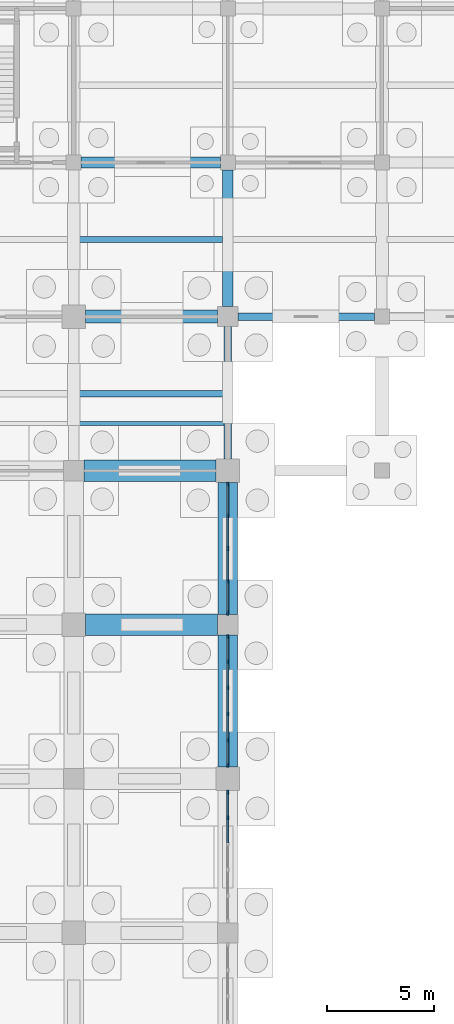
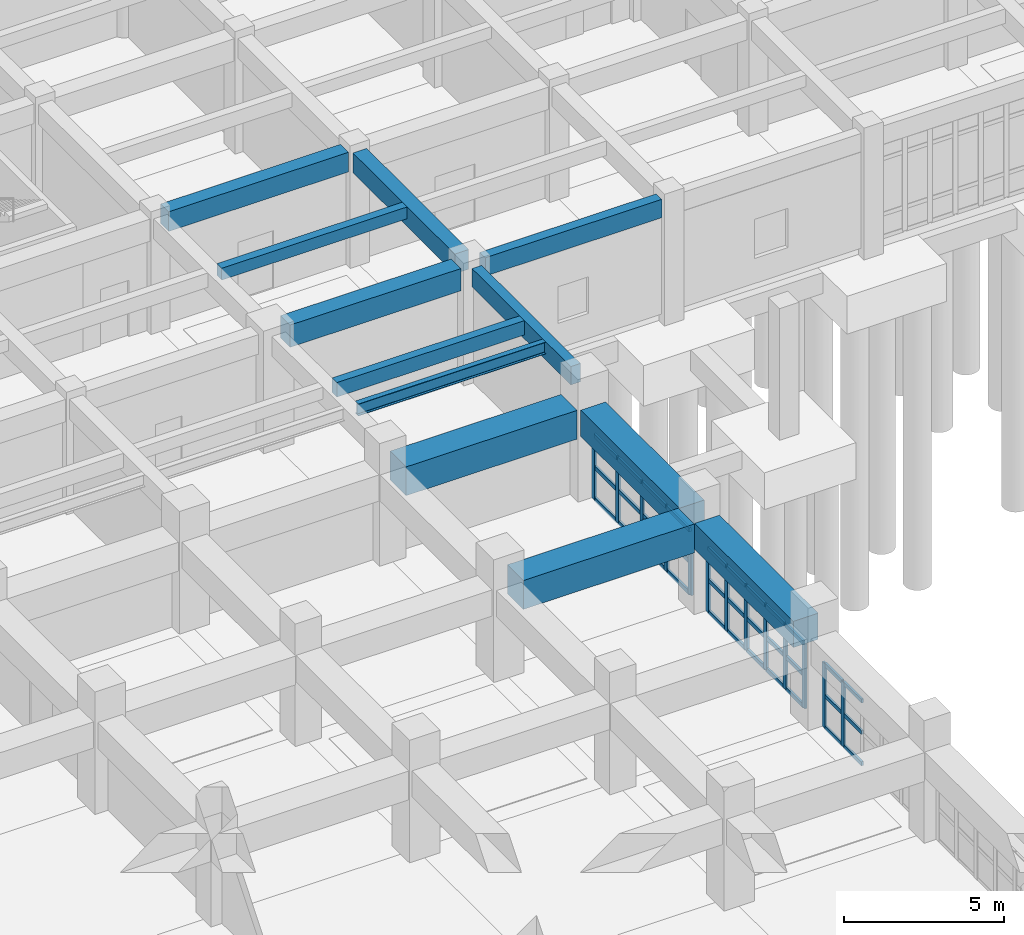
# One storey, part 28 of 79: 46 members, 12 beams, 3 elements without a shape of their own.
"""IFC4 building model written with IfcOpenShell, lengths in metres."""

from ifc_helpers import new_model, si_unit, direction, frame, origin, origin_2d, place, context, subcontext, project, spatial, rectangle, i_section, extrude, material, layer, layer_set, material_profile, profile_set, type_object, element, aggregate, save


model = new_model("IFC4")

# Units and contexts
model_context = context("Model", 3, precision=1e-05, world=origin(), true_north=direction((0.0, 1.0)))
body_context = subcontext(model_context, "Body", "Model", "MODEL_VIEW")
ifc_project = project(units=[si_unit("LENGTHUNIT", "METRE"), si_unit("AREAUNIT", "SQUARE_METRE"), si_unit("VOLUMEUNIT", "CUBIC_METRE"), si_unit("PLANEANGLEUNIT", "RADIAN"), si_unit("MASSUNIT", "GRAM", prefix="KILO")], contexts=[model_context])

# Site, building, storey
site_placement = place(None, origin())
site = spatial("IfcSite", under=ifc_project, at=site_placement, CompositionType="ELEMENT")
building_placement = place(site_placement, origin())
building = spatial("IfcBuilding", under=site, at=building_placement, Name="Kavelor Marine Aquarium", CompositionType="ELEMENT")
storey_placement = place(building_placement, origin())
storey = spatial("IfcBuildingStorey", under=building, at=storey_placement, Name="L00", CompositionType="ELEMENT", Elevation=0.0)

# Beams
ifc_material_1 = material(Name="Concrete C40/50", Category="concrete")
ifc_material_profile_1 = material_profile(ifc_material_1, rectangle(XDim=0.60009765625, YDim=0.85009765625, at=origin_2d()), Name="RC-BM 600x850")
ifc_profile_set_1 = profile_set([ifc_material_profile_1], Name="Concrete C40/50")
beam_type_1 = type_object("IfcBeamType", Name="BM-B1", PredefinedType="BEAM", material=ifc_profile_set_1)
beam_1_placement = place(storey_placement, frame((32.550048828125, 89.199951171875, 3.955078125), z_axis=(1.0, 0.0, 0.0), x_axis=(0.0, 1.0, 0.0)))
element("IfcBeam", 1, at=beam_1_placement, inside=storey, type_object=beam_type_1, Name="bm:x:L00:L01:04_12", PredefinedType="BEAM", context=body_context, shape_type="SweptSolid", body=[
    extrude(rectangle(XDim=0.60009765625, YDim=0.85009765625, at=origin_2d()), origin(), (0.0, 0.0, 1.0), 6.175048828125),
])
ifc_material_2 = material(Name="Concrete C40/50", Category="concrete")
ifc_material_profile_2 = material_profile(ifc_material_2, rectangle(XDim=0.5, YDim=0.75, at=origin_2d()), Name="RC-BM 500x750")
ifc_profile_set_2 = profile_set([ifc_material_profile_2], Name="Concrete C40/50")
beam_type_2 = type_object("IfcBeamType", Name="BM-B2", PredefinedType="BEAM", material=ifc_profile_set_2)
beam_2_placement = place(storey_placement, frame((32.35009765625, 96.39990234375, 4.0048828125), z_axis=(1.0, 0.0, 0.0), x_axis=(0.0, 1.0, 0.0)))
element("IfcBeam", 2, at=beam_2_placement, inside=storey, type_object=beam_type_2, Name="bm:x:L00:L01:04_13", PredefinedType="BEAM", context=body_context, shape_type="SweptSolid", body=[
    extrude(rectangle(XDim=0.5, YDim=0.75, at=origin_2d()), origin(), (0.0, 0.0, 1.0), 6.5),
])
beam_3_placement = place(storey_placement, frame((39.199951171875, 89.675048828125, 4.0048828125), z_axis=(0.0, 1.0, 0.0), x_axis=(-1.0, 0.0, 0.0)))
element("IfcBeam", 3, at=beam_3_placement, inside=storey, type_object=beam_type_2, Name="bm:y:L00:L01:05_12", PredefinedType="BEAM", context=body_context, shape_type="SweptSolid", body=[
    extrude(rectangle(XDim=0.5, YDim=0.75, at=origin_2d()), origin(), (0.0, 0.0, 1.0), 6.375),
])
ifc_material_3 = material(Name="Concrete C40/50", Category="concrete")
ifc_material_profile_3 = material_profile(ifc_material_3, rectangle(XDim=0.300048828125, YDim=0.449951171875, at=origin_2d()), Name="RC-JS 300x450")
ifc_profile_set_3 = profile_set([ifc_material_profile_3], Name="Concrete C40/50")
beam_type_3 = type_object("IfcBeamType", Name="BM-JS1", PredefinedType="JOIST", material=ifc_profile_set_3)
beam_4_placement = place(storey_placement, frame((32.25, 92.800048828125, 4.155029296875), z_axis=(1.0, 0.0, 0.0), x_axis=(0.0, 1.0, 0.0)))
element("IfcBeam", 4, at=beam_4_placement, inside=storey, type_object=beam_type_3, Name="js:L00:L01:04_12", PredefinedType="JOIST", context=body_context, shape_type="SweptSolid", body=[
    extrude(rectangle(XDim=0.300048828125, YDim=0.449951171875, at=origin_2d()), origin(), (0.0, 0.0, 1.0), 6.699951171875),
])
ifc_material_4 = material(Name="Concrete C40/50", Category="concrete")
ifc_material_profile_4 = material_profile(ifc_material_4, rectangle(XDim=0.300048828125, YDim=0.550048828125, at=origin_2d()), Name="RC-JS 300x550")
ifc_profile_set_4 = profile_set([ifc_material_profile_4], Name="Concrete C40/50")
beam_type_4 = type_object("IfcBeamType", Name="BM-JS2", PredefinedType="JOIST", material=ifc_profile_set_4)
beam_5_placement = place(storey_placement, frame((32.25, 85.60009765625, 4.10498046875), z_axis=(1.0, 0.0, 0.0), x_axis=(0.0, 1.0, 0.0)))
element("IfcBeam", 5, at=beam_5_placement, inside=storey, type_object=beam_type_4, Name="js:L00:L01:04_11", PredefinedType="JOIST", context=body_context, shape_type="SweptSolid", body=[
    extrude(rectangle(XDim=0.300048828125, YDim=0.550048828125, at=origin_2d()), origin(), (0.0, 0.0, 1.0), 6.77490234375),
])
ifc_material_5 = material(Name="Steel S355", Category="steel")
ifc_material_profile_5 = material_profile(ifc_material_5, i_section(OverallWidth=0.19140625, OverallDepth=0.4599609375, WebThickness=0.010009765625, FlangeThickness=0.01611328125, FilletRadius=0.01025390625, at=origin_2d()), Name="UKB 457x191x82")
ifc_profile_set_5 = profile_set([ifc_material_profile_5], Name="Steel S355")
beam_type_5 = type_object("IfcBeamType", Name="BM-SB7", PredefinedType="BEAM", material=ifc_profile_set_5)
beam_6_placement = place(storey_placement, frame((32.25, 84.199951171875, 4.14990234375), z_axis=(1.0, 0.0, 0.0), x_axis=(0.0, 1.0, 0.0)))
element("IfcBeam", 6, at=beam_6_placement, inside=storey, type_object=beam_type_5, Name="bm:hoist:4:04", PredefinedType="BEAM", context=body_context, shape_type="SweptSolid", body=[
    extrude(i_section(OverallWidth=0.19140625, OverallDepth=0.4599609375, WebThickness=0.010009765625, FlangeThickness=0.01611328125, FilletRadius=0.01025390625, at=origin_2d()), origin(), (0.0, 0.0, 1.0), 6.77490234375),
])
ifc_material_6 = material(Name="Concrete C40/50", Category="concrete")
ifc_material_profile_6 = material_profile(ifc_material_6, rectangle(XDim=0.35009765625, YDim=0.699951171875, at=origin_2d()), Name="RC-SP 350x700")
ifc_profile_set_6 = profile_set([ifc_material_profile_6], Name="Concrete C40/50")
beam_type_6 = type_object("IfcBeamType", Name="BM-SP1", PredefinedType="SPANDREL", material=ifc_profile_set_6)
beam_7_placement = place(storey_placement, frame((39.675048828125, 89.199951171875, 4.030029296875), z_axis=(1.0, 0.0, 0.0), x_axis=(0.0, 1.0, 0.0)))
element("IfcBeam", 7, at=beam_7_placement, inside=storey, type_object=beam_type_6, Name="bm:x:L00:L01:05_12", PredefinedType="SPANDREL", context=body_context, shape_type="SweptSolid", body=[
    extrude(rectangle(XDim=0.35009765625, YDim=0.699951171875, at=origin_2d()), origin(), (0.0, 0.0, 1.0), 6.375),
])
beam_8_placement = place(storey_placement, frame((39.199951171875, 82.550048828125, 4.030029296875), z_axis=(0.0, 1.0, 0.0), x_axis=(-1.0, 0.0, 0.0)))
element("IfcBeam", 8, at=beam_8_placement, inside=storey, type_object=beam_type_6, Name="bm:y:L00:L01:05_11", PredefinedType="SPANDREL", context=body_context, shape_type="SweptSolid", body=[
    extrude(rectangle(XDim=0.35009765625, YDim=0.699951171875, at=origin_2d()), origin(), (0.0, 0.0, 1.0), 6.175048828125),
])
ifc_material_7 = material(Name="Concrete C45/55", Category="concrete")
ifc_material_profile_7 = material_profile(ifc_material_7, rectangle(XDim=1.0, YDim=1.10009765625, at=origin_2d()), Name="RC-TG 1000x1100")
ifc_profile_set_7 = profile_set([ifc_material_profile_7], Name="Concrete C45/55")
beam_type_7 = type_object("IfcBeamType", Name="BM-TG1", PredefinedType="BEAM", material=ifc_profile_set_7)
beam_9_placement = place(storey_placement, frame((32.550048828125, 74.800048828125, 2.929931640625), z_axis=(1.0, 0.0, 0.0), x_axis=(0.0, 1.0, 0.0)))
element("IfcBeam", 9, at=beam_9_placement, inside=storey, type_object=beam_type_7, Name="bm:x:L00:L01:04_10", PredefinedType="BEAM", context=body_context, shape_type="SweptSolid", body=[
    extrude(rectangle(XDim=1.0, YDim=1.10009765625, at=origin_2d()), origin(), (0.0, 0.0, 1.0), 6.175048828125),
])
beam_10_placement = place(storey_placement, frame((32.47509765625, 82.0, 2.929931640625), z_axis=(1.0, 0.0, 0.0), x_axis=(0.0, 1.0, 0.0)))
element("IfcBeam", 10, at=beam_10_placement, inside=storey, type_object=beam_type_7, Name="bm:x:L00:L01:04_11", PredefinedType="BEAM", context=body_context, shape_type="SweptSolid", body=[
    extrude(rectangle(XDim=1.0, YDim=1.10009765625, at=origin_2d()), origin(), (0.0, 0.0, 1.0), 6.1748046875),
])
ifc_material_8 = material(Name="Concrete C45/55", Category="concrete")
ifc_material_profile_8 = material_profile(ifc_material_8, rectangle(XDim=0.89990234375, YDim=1.0, at=origin_2d()), Name="RC-TG 900x1000")
ifc_profile_set_8 = profile_set([ifc_material_profile_8], Name="Concrete C45/55")
beam_type_8 = type_object("IfcBeamType", Name="BM-TG2", PredefinedType="BEAM", material=ifc_profile_set_8)
for number, where, z_axis, x_axis, name in (
    (11, (39.199951171875, 68.14990234375, 2.97998046875), (0.0, 1.0, 0.0), (-1.0, 0.0, 0.0), "bm:y:L00:L01:05_09"),
    (12, (39.199951171875, 75.27490234375, 2.97998046875), (0.0, 1.0, 0.0), (-1.0, 0.0, 0.0), "bm:y:L00:L01:05_10"),
):
    element("IfcBeam", number, at=place(storey_placement, frame(where, z_axis=z_axis, x_axis=x_axis)), inside=storey, type_object=beam_type_8, Name=name, PredefinedType="BEAM", context=body_context, shape_type="SweptSolid", body=[
        extrude(rectangle(XDim=0.89990234375, YDim=1.0, at=origin_2d()), origin(), (0.0, 0.0, 1.0), 6.175048828125),
    ])

# Curtain wall, members
ifc_material_9 = material(Name="Thermally Broken Aluminium and Low-E Glass", Category="aluminium")
ifc_layer_1 = layer(ifc_material_9, 0.196044921875)
ifc_layer_set_1 = layer_set([ifc_layer_1], Name="CW-SYS7")
curtain_wall_type_1 = type_object("IfcCurtainWallType", Name="CW-SYS7", PredefinedType="USERDEFINED", material=ifc_layer_set_1)
curtain_wall_1_placement = place(storey_placement, origin())
curtain_wall_1 = element("IfcCurtainWall", 13, at=curtain_wall_1_placement, inside=storey, type_object=curtain_wall_type_1, Name="cw:y:L00:05_08", ObjectType="Curtain Wall", PredefinedType="USERDEFINED")
ifc_material_10 = material(Name="Anodised Aluminium Alloy 6063-T6", Category="aluminium")
ifc_material_profile_9 = material_profile(ifc_material_10, rectangle(XDim=0.074951171875, YDim=0.179931640625, at=origin_2d()), Name="CW-MUL 75x180")
ifc_profile_set_9 = profile_set([ifc_material_profile_9], Name="Anodised Aluminium Alloy 6063-T6")
member_type_1 = type_object("IfcMemberType", Name="CWM-1", PredefinedType="MULLION", material=ifc_profile_set_9)
member_1_placement = place(storey_placement, frame((39.199951171875, 65.7880859375, 0.0), z_axis=(0.0, 0.0, 1.0), x_axis=(-1.0, 0.0, 0.0)))
member_1 = element("IfcMember", 14, at=member_1_placement, type_object=member_type_1, Name="CW07 mullion 5", PredefinedType="MULLION", context=body_context, shape_type="SweptSolid", body=[
    extrude(rectangle(XDim=0.074951171875, YDim=0.179931640625, at=origin_2d()), origin(), (0.0, 0.0, 1.0), 2.469970703125),
])
member_2_placement = place(storey_placement, frame((39.199951171875, 66.967529296875, 0.0), z_axis=(0.0, 0.0, 1.0), x_axis=(-1.0, 0.0, 0.0)))
member_2 = element("IfcMember", 15, at=member_2_placement, type_object=member_type_1, Name="CW07 mullion 6", PredefinedType="MULLION", context=body_context, shape_type="SweptSolid", body=[
    extrude(rectangle(XDim=0.074951171875, YDim=0.179931640625, at=origin_2d()), origin(), (0.0, 0.0, 1.0), 2.469970703125),
])

ifc_material_11 = material(Name="Thermally Broken Aluminium and Low-E Glass", Category="aluminium")
ifc_layer_2 = layer(ifc_material_11, 0.2041015625)
ifc_layer_set_2 = layer_set([ifc_layer_2], Name="CW-SYS8")
curtain_wall_type_2 = type_object("IfcCurtainWallType", Name="CW-SYS8", PredefinedType="USERDEFINED", material=ifc_layer_set_2)
curtain_wall_2_placement = place(storey_placement, origin())
curtain_wall_2 = element("IfcCurtainWall", 16, at=curtain_wall_2_placement, inside=storey, type_object=curtain_wall_type_2, Name="cw:y:L00:05_09", ObjectType="Curtain Wall", PredefinedType="USERDEFINED")
ifc_material_12 = material(Name="Anodised Aluminium Alloy 6063-T6", Category="aluminium")
ifc_material_profile_10 = material_profile(ifc_material_12, rectangle(XDim=0.080078125, YDim=0.18505859375, at=origin_2d()), Name="CW-MUL 80x185")
ifc_profile_set_10 = profile_set([ifc_material_profile_10], Name="Anodised Aluminium Alloy 6063-T6")
member_type_2 = type_object("IfcMemberType", Name="CWM-2", PredefinedType="MULLION", material=ifc_profile_set_10)
member_3_placement = place(storey_placement, frame((39.199951171875, 68.2275390625, 0.0), z_axis=(0.0, 0.0, 1.0), x_axis=(-1.0, 0.0, 0.0)))
member_3 = element("IfcMember", 17, at=member_3_placement, type_object=member_type_2, Name="CW08 mullion 1", PredefinedType="MULLION", context=body_context, shape_type="SweptSolid", body=[
    extrude(rectangle(XDim=0.080078125, YDim=0.18505859375, at=origin_2d()), origin(), (0.0, 0.0, 1.0), 2.469970703125),
])
member_4_placement = place(storey_placement, frame((39.199951171875, 69.412109375, 0.0), z_axis=(0.0, 0.0, 1.0), x_axis=(-1.0, 0.0, 0.0)))
member_4 = element("IfcMember", 18, at=member_4_placement, type_object=member_type_2, Name="CW08 mullion 2", PredefinedType="MULLION", context=body_context, shape_type="SweptSolid", body=[
    extrude(rectangle(XDim=0.080078125, YDim=0.18505859375, at=origin_2d()), origin(), (0.0, 0.0, 1.0), 2.469970703125),
])
member_5_placement = place(storey_placement, frame((39.199951171875, 70.62890625, 0.0), z_axis=(0.0, 0.0, 1.0), x_axis=(-1.0, 0.0, 0.0)))
member_5 = element("IfcMember", 19, at=member_5_placement, type_object=member_type_2, Name="CW08 mullion 3", PredefinedType="MULLION", context=body_context, shape_type="SweptSolid", body=[
    extrude(rectangle(XDim=0.080078125, YDim=0.18505859375, at=origin_2d()), origin(), (0.0, 0.0, 1.0), 2.469970703125),
])
member_6_placement = place(storey_placement, frame((39.199951171875, 71.845947265625, 0.0), z_axis=(0.0, 0.0, 1.0), x_axis=(-1.0, 0.0, 0.0)))
member_6 = element("IfcMember", 20, at=member_6_placement, type_object=member_type_2, Name="CW08 mullion 4", PredefinedType="MULLION", context=body_context, shape_type="SweptSolid", body=[
    extrude(rectangle(XDim=0.080078125, YDim=0.18505859375, at=origin_2d()), origin(), (0.0, 0.0, 1.0), 2.469970703125),
])
member_7_placement = place(storey_placement, frame((39.199951171875, 73.06298828125, 0.0), z_axis=(0.0, 0.0, 1.0), x_axis=(-1.0, 0.0, 0.0)))
member_7 = element("IfcMember", 21, at=member_7_placement, type_object=member_type_2, Name="CW08 mullion 5", PredefinedType="MULLION", context=body_context, shape_type="SweptSolid", body=[
    extrude(rectangle(XDim=0.080078125, YDim=0.18505859375, at=origin_2d()), origin(), (0.0, 0.0, 1.0), 2.469970703125),
])
member_8_placement = place(storey_placement, frame((39.199951171875, 74.24755859375, 0.0), z_axis=(0.0, 0.0, 1.0), x_axis=(-1.0, 0.0, 0.0)))
member_8 = element("IfcMember", 22, at=member_8_placement, type_object=member_type_2, Name="CW08 mullion 6", PredefinedType="MULLION", context=body_context, shape_type="SweptSolid", body=[
    extrude(rectangle(XDim=0.080078125, YDim=0.18505859375, at=origin_2d()), origin(), (0.0, 0.0, 1.0), 2.469970703125),
])

ifc_material_13 = material(Name="Thermally Broken Aluminium and Low-E Glass", Category="aluminium")
ifc_layer_3 = layer(ifc_material_13, 0.2119140625)
ifc_layer_set_3 = layer_set([ifc_layer_3], Name="CW-SYS9")
curtain_wall_type_3 = type_object("IfcCurtainWallType", Name="CW-SYS9", PredefinedType="USERDEFINED", material=ifc_layer_set_3)
curtain_wall_3_placement = place(storey_placement, origin())
curtain_wall_3 = element("IfcCurtainWall", 23, at=curtain_wall_3_placement, inside=storey, type_object=curtain_wall_type_3, Name="cw:y:L00:05_10", ObjectType="Curtain Wall", PredefinedType="USERDEFINED")
ifc_material_14 = material(Name="Anodised Aluminium Alloy 6063-T6", Category="aluminium")
ifc_material_profile_11 = material_profile(ifc_material_14, rectangle(XDim=0.0849609375, YDim=0.18994140625, at=origin_2d()), Name="CW-MUL 85x190")
ifc_profile_set_11 = profile_set([ifc_material_profile_11], Name="Anodised Aluminium Alloy 6063-T6")
member_type_3 = type_object("IfcMemberType", Name="CWM-3", PredefinedType="MULLION", material=ifc_profile_set_11)
member_9_placement = place(storey_placement, frame((39.199951171875, 75.35009765625, 0.0), z_axis=(0.0, 0.0, 1.0), x_axis=(-1.0, 0.0, 0.0)))
member_9 = element("IfcMember", 24, at=member_9_placement, type_object=member_type_3, Name="CW09 mullion 1", PredefinedType="MULLION", context=body_context, shape_type="SweptSolid", body=[
    extrude(rectangle(XDim=0.0849609375, YDim=0.18994140625, at=origin_2d()), origin(), (0.0, 0.0, 1.0), 2.469970703125),
])
member_10_placement = place(storey_placement, frame((39.199951171875, 76.84130859375, 0.0), z_axis=(0.0, 0.0, 1.0), x_axis=(-1.0, 0.0, 0.0)))
member_10 = element("IfcMember", 25, at=member_10_placement, type_object=member_type_3, Name="CW09 mullion 2", PredefinedType="MULLION", context=body_context, shape_type="SweptSolid", body=[
    extrude(rectangle(XDim=0.0849609375, YDim=0.18994140625, at=origin_2d()), origin(), (0.0, 0.0, 1.0), 2.469970703125),
])
member_11_placement = place(storey_placement, frame((39.199951171875, 78.362548828125, 0.0), z_axis=(0.0, 0.0, 1.0), x_axis=(-1.0, 0.0, 0.0)))
member_11 = element("IfcMember", 26, at=member_11_placement, type_object=member_type_3, Name="CW09 mullion 3", PredefinedType="MULLION", context=body_context, shape_type="SweptSolid", body=[
    extrude(rectangle(XDim=0.0849609375, YDim=0.18994140625, at=origin_2d()), origin(), (0.0, 0.0, 1.0), 2.469970703125),
])
member_12_placement = place(storey_placement, frame((39.199951171875, 79.8837890625, 0.0), z_axis=(0.0, 0.0, 1.0), x_axis=(-1.0, 0.0, 0.0)))
member_12 = element("IfcMember", 27, at=member_12_placement, type_object=member_type_3, Name="CW09 mullion 4", PredefinedType="MULLION", context=body_context, shape_type="SweptSolid", body=[
    extrude(rectangle(XDim=0.0849609375, YDim=0.18994140625, at=origin_2d()), origin(), (0.0, 0.0, 1.0), 2.469970703125),
])
member_13_placement = place(storey_placement, frame((39.199951171875, 81.375, 0.0), z_axis=(0.0, 0.0, 1.0), x_axis=(-1.0, 0.0, 0.0)))
member_13 = element("IfcMember", 28, at=member_13_placement, type_object=member_type_3, Name="CW09 mullion 5", PredefinedType="MULLION", context=body_context, shape_type="SweptSolid", body=[
    extrude(rectangle(XDim=0.0849609375, YDim=0.18994140625, at=origin_2d()), origin(), (0.0, 0.0, 1.0), 2.469970703125),
])

# Member
ifc_material_15 = material(Name="Anodised Aluminium Alloy 6063-T6", Category="aluminium")
ifc_material_profile_12 = material_profile(ifc_material_15, rectangle(XDim=0.074951171875, YDim=0.14990234375, at=origin_2d()), Name="CW-TRN 75x150")
ifc_profile_set_12 = profile_set([ifc_material_profile_12], Name="Anodised Aluminium Alloy 6063-T6")
member_type_4 = type_object("IfcMemberType", Name="CWT-1", PredefinedType="USERDEFINED", material=ifc_profile_set_12)
member_14_placement = place(storey_placement, frame((39.199951171875, 64.6083984375, 0.03759765625), z_axis=(0.0, 1.0, 0.0), x_axis=(-1.0, 0.0, 0.0)))
member_14 = element("IfcMember", 29, at=member_14_placement, type_object=member_type_4, Name="CW07 transom 4.1", ObjectType="TRANSOM", PredefinedType="USERDEFINED", context=body_context, shape_type="SweptSolid", body=[
    extrude(rectangle(XDim=0.074951171875, YDim=0.14990234375, at=origin_2d()), origin(), (0.0, 0.0, 1.0), 1.14208984375),
])

member_15_placement = place(storey_placement, frame((39.199951171875, 64.6083984375, 1.235107421875), z_axis=(0.0, 1.0, 0.0), x_axis=(-1.0, 0.0, 0.0)))
member_15 = element("IfcMember", 30, at=member_15_placement, type_object=member_type_4, Name="CW07 transom 4.2", ObjectType="TRANSOM", PredefinedType="USERDEFINED", context=body_context, shape_type="SweptSolid", body=[
    extrude(rectangle(XDim=0.074951171875, YDim=0.14990234375, at=origin_2d()), origin(), (0.0, 0.0, 1.0), 1.14208984375),
])

member_16_placement = place(storey_placement, frame((39.199951171875, 64.6083984375, 2.4326171875), z_axis=(0.0, 1.0, 0.0), x_axis=(-1.0, 0.0, 0.0)))
member_16 = element("IfcMember", 31, at=member_16_placement, type_object=member_type_4, Name="CW07 transom 4.3", ObjectType="TRANSOM", PredefinedType="USERDEFINED", context=body_context, shape_type="SweptSolid", body=[
    extrude(rectangle(XDim=0.074951171875, YDim=0.14990234375, at=origin_2d()), origin(), (0.0, 0.0, 1.0), 1.14208984375),
])

member_17_placement = place(storey_placement, frame((39.199951171875, 65.825439453125, 0.03759765625), z_axis=(0.0, 1.0, 0.0), x_axis=(-1.0, 0.0, 0.0)))
member_17 = element("IfcMember", 32, at=member_17_placement, type_object=member_type_4, Name="CW07 transom 5.1", ObjectType="TRANSOM", PredefinedType="USERDEFINED", context=body_context, shape_type="SweptSolid", body=[
    extrude(rectangle(XDim=0.074951171875, YDim=0.14990234375, at=origin_2d()), origin(), (0.0, 0.0, 1.0), 1.1044921875),
])

member_18_placement = place(storey_placement, frame((39.199951171875, 65.825439453125, 1.235107421875), z_axis=(0.0, 1.0, 0.0), x_axis=(-1.0, 0.0, 0.0)))
member_18 = element("IfcMember", 33, at=member_18_placement, type_object=member_type_4, Name="CW07 transom 5.2", ObjectType="TRANSOM", PredefinedType="USERDEFINED", context=body_context, shape_type="SweptSolid", body=[
    extrude(rectangle(XDim=0.074951171875, YDim=0.14990234375, at=origin_2d()), origin(), (0.0, 0.0, 1.0), 1.1044921875),
])

member_19_placement = place(storey_placement, frame((39.199951171875, 65.825439453125, 2.4326171875), z_axis=(0.0, 1.0, 0.0), x_axis=(-1.0, 0.0, 0.0)))
member_19 = element("IfcMember", 34, at=member_19_placement, type_object=member_type_4, Name="CW07 transom 5.3", ObjectType="TRANSOM", PredefinedType="USERDEFINED", context=body_context, shape_type="SweptSolid", body=[
    extrude(rectangle(XDim=0.074951171875, YDim=0.14990234375, at=origin_2d()), origin(), (0.0, 0.0, 1.0), 1.1044921875),
])

aggregate(curtain_wall_1, [member_1, member_2, member_14, member_15, member_16, member_17, member_18, member_19])

ifc_material_16 = material(Name="Anodised Aluminium Alloy 6063-T6", Category="aluminium")
ifc_material_profile_13 = material_profile(ifc_material_16, rectangle(XDim=0.080078125, YDim=0.155029296875, at=origin_2d()), Name="CW-TRN 80x155")
ifc_profile_set_13 = profile_set([ifc_material_profile_13], Name="Anodised Aluminium Alloy 6063-T6")
member_type_5 = type_object("IfcMemberType", Name="CWT-2", PredefinedType="USERDEFINED", material=ifc_profile_set_13)
member_20_placement = place(storey_placement, frame((39.199951171875, 68.260009765625, 0.032470703125), z_axis=(0.0, 1.0, 0.0), x_axis=(-1.0, 0.0, 0.0)))
member_20 = element("IfcMember", 35, at=member_20_placement, type_object=member_type_5, Name="CW08 transom 1.1", ObjectType="TRANSOM", PredefinedType="USERDEFINED", context=body_context, shape_type="SweptSolid", body=[
    extrude(rectangle(XDim=0.080078125, YDim=0.155029296875, at=origin_2d()), origin(), (0.0, 0.0, 1.0), 1.119384765625),
])

member_21_placement = place(storey_placement, frame((39.199951171875, 68.260009765625, 1.235107421875), z_axis=(0.0, 1.0, 0.0), x_axis=(-1.0, 0.0, 0.0)))
member_21 = element("IfcMember", 36, at=member_21_placement, type_object=member_type_5, Name="CW08 transom 1.2", ObjectType="TRANSOM", PredefinedType="USERDEFINED", context=body_context, shape_type="SweptSolid", body=[
    extrude(rectangle(XDim=0.080078125, YDim=0.155029296875, at=origin_2d()), origin(), (0.0, 0.0, 1.0), 1.119384765625),
])

member_22_placement = place(storey_placement, frame((39.199951171875, 68.260009765625, 2.4375), z_axis=(0.0, 1.0, 0.0), x_axis=(-1.0, 0.0, 0.0)))
member_22 = element("IfcMember", 37, at=member_22_placement, type_object=member_type_5, Name="CW08 transom 1.3", ObjectType="TRANSOM", PredefinedType="USERDEFINED", context=body_context, shape_type="SweptSolid", body=[
    extrude(rectangle(XDim=0.080078125, YDim=0.155029296875, at=origin_2d()), origin(), (0.0, 0.0, 1.0), 1.119384765625),
])

member_23_placement = place(storey_placement, frame((39.199951171875, 69.444580078125, 0.032470703125), z_axis=(0.0, 1.0, 0.0), x_axis=(-1.0, 0.0, 0.0)))
member_23 = element("IfcMember", 38, at=member_23_placement, type_object=member_type_5, Name="CW08 transom 2.1", ObjectType="TRANSOM", PredefinedType="USERDEFINED", context=body_context, shape_type="SweptSolid", body=[
    extrude(rectangle(XDim=0.080078125, YDim=0.155029296875, at=origin_2d()), origin(), (0.0, 0.0, 1.0), 1.15185546875),
])

member_24_placement = place(storey_placement, frame((39.199951171875, 69.444580078125, 1.235107421875), z_axis=(0.0, 1.0, 0.0), x_axis=(-1.0, 0.0, 0.0)))
member_24 = element("IfcMember", 39, at=member_24_placement, type_object=member_type_5, Name="CW08 transom 2.2", ObjectType="TRANSOM", PredefinedType="USERDEFINED", context=body_context, shape_type="SweptSolid", body=[
    extrude(rectangle(XDim=0.080078125, YDim=0.155029296875, at=origin_2d()), origin(), (0.0, 0.0, 1.0), 1.15185546875),
])

member_25_placement = place(storey_placement, frame((39.199951171875, 69.444580078125, 2.4375), z_axis=(0.0, 1.0, 0.0), x_axis=(-1.0, 0.0, 0.0)))
member_25 = element("IfcMember", 40, at=member_25_placement, type_object=member_type_5, Name="CW08 transom 2.3", ObjectType="TRANSOM", PredefinedType="USERDEFINED", context=body_context, shape_type="SweptSolid", body=[
    extrude(rectangle(XDim=0.080078125, YDim=0.155029296875, at=origin_2d()), origin(), (0.0, 0.0, 1.0), 1.15185546875),
])

member_26_placement = place(storey_placement, frame((39.199951171875, 70.66162109375, 0.032470703125), z_axis=(0.0, 1.0, 0.0), x_axis=(-1.0, 0.0, 0.0)))
member_26 = element("IfcMember", 41, at=member_26_placement, type_object=member_type_5, Name="CW08 transom 3.1", ObjectType="TRANSOM", PredefinedType="USERDEFINED", context=body_context, shape_type="SweptSolid", body=[
    extrude(rectangle(XDim=0.080078125, YDim=0.155029296875, at=origin_2d()), origin(), (0.0, 0.0, 1.0), 1.15185546875),
])

member_27_placement = place(storey_placement, frame((39.199951171875, 70.66162109375, 1.235107421875), z_axis=(0.0, 1.0, 0.0), x_axis=(-1.0, 0.0, 0.0)))
member_27 = element("IfcMember", 42, at=member_27_placement, type_object=member_type_5, Name="CW08 transom 3.2", ObjectType="TRANSOM", PredefinedType="USERDEFINED", context=body_context, shape_type="SweptSolid", body=[
    extrude(rectangle(XDim=0.080078125, YDim=0.155029296875, at=origin_2d()), origin(), (0.0, 0.0, 1.0), 1.15185546875),
])

member_28_placement = place(storey_placement, frame((39.199951171875, 70.66162109375, 2.4375), z_axis=(0.0, 1.0, 0.0), x_axis=(-1.0, 0.0, 0.0)))
member_28 = element("IfcMember", 43, at=member_28_placement, type_object=member_type_5, Name="CW08 transom 3.3", ObjectType="TRANSOM", PredefinedType="USERDEFINED", context=body_context, shape_type="SweptSolid", body=[
    extrude(rectangle(XDim=0.080078125, YDim=0.155029296875, at=origin_2d()), origin(), (0.0, 0.0, 1.0), 1.15185546875),
])

member_29_placement = place(storey_placement, frame((39.199951171875, 71.87841796875, 0.032470703125), z_axis=(0.0, 1.0, 0.0), x_axis=(-1.0, 0.0, 0.0)))
member_29 = element("IfcMember", 44, at=member_29_placement, type_object=member_type_5, Name="CW08 transom 4.1", ObjectType="TRANSOM", PredefinedType="USERDEFINED", context=body_context, shape_type="SweptSolid", body=[
    extrude(rectangle(XDim=0.080078125, YDim=0.155029296875, at=origin_2d()), origin(), (0.0, 0.0, 1.0), 1.152099609375),
])

member_30_placement = place(storey_placement, frame((39.199951171875, 71.87841796875, 1.235107421875), z_axis=(0.0, 1.0, 0.0), x_axis=(-1.0, 0.0, 0.0)))
member_30 = element("IfcMember", 45, at=member_30_placement, type_object=member_type_5, Name="CW08 transom 4.2", ObjectType="TRANSOM", PredefinedType="USERDEFINED", context=body_context, shape_type="SweptSolid", body=[
    extrude(rectangle(XDim=0.080078125, YDim=0.155029296875, at=origin_2d()), origin(), (0.0, 0.0, 1.0), 1.152099609375),
])

member_31_placement = place(storey_placement, frame((39.199951171875, 71.87841796875, 2.4375), z_axis=(0.0, 1.0, 0.0), x_axis=(-1.0, 0.0, 0.0)))
member_31 = element("IfcMember", 46, at=member_31_placement, type_object=member_type_5, Name="CW08 transom 4.3", ObjectType="TRANSOM", PredefinedType="USERDEFINED", context=body_context, shape_type="SweptSolid", body=[
    extrude(rectangle(XDim=0.080078125, YDim=0.155029296875, at=origin_2d()), origin(), (0.0, 0.0, 1.0), 1.152099609375),
])

member_32_placement = place(storey_placement, frame((39.199951171875, 73.095458984375, 0.032470703125), z_axis=(0.0, 1.0, 0.0), x_axis=(-1.0, 0.0, 0.0)))
member_32 = element("IfcMember", 47, at=member_32_placement, type_object=member_type_5, Name="CW08 transom 5.1", ObjectType="TRANSOM", PredefinedType="USERDEFINED", context=body_context, shape_type="SweptSolid", body=[
    extrude(rectangle(XDim=0.080078125, YDim=0.155029296875, at=origin_2d()), origin(), (0.0, 0.0, 1.0), 1.11962890625),
])

member_33_placement = place(storey_placement, frame((39.199951171875, 73.095458984375, 1.235107421875), z_axis=(0.0, 1.0, 0.0), x_axis=(-1.0, 0.0, 0.0)))
member_33 = element("IfcMember", 48, at=member_33_placement, type_object=member_type_5, Name="CW08 transom 5.2", ObjectType="TRANSOM", PredefinedType="USERDEFINED", context=body_context, shape_type="SweptSolid", body=[
    extrude(rectangle(XDim=0.080078125, YDim=0.155029296875, at=origin_2d()), origin(), (0.0, 0.0, 1.0), 1.11962890625),
])

member_34_placement = place(storey_placement, frame((39.199951171875, 73.095458984375, 2.4375), z_axis=(0.0, 1.0, 0.0), x_axis=(-1.0, 0.0, 0.0)))
member_34 = element("IfcMember", 49, at=member_34_placement, type_object=member_type_5, Name="CW08 transom 5.3", ObjectType="TRANSOM", PredefinedType="USERDEFINED", context=body_context, shape_type="SweptSolid", body=[
    extrude(rectangle(XDim=0.080078125, YDim=0.155029296875, at=origin_2d()), origin(), (0.0, 0.0, 1.0), 1.11962890625),
])

aggregate(curtain_wall_2, [member_3, member_4, member_5, member_6, member_7, member_8, member_20, member_21, member_22, member_23, member_24, member_25, member_26, member_27, member_28, member_29, member_30, member_31, member_32, member_33, member_34])

member_35_placement = place(storey_placement, frame((39.199951171875, 75.3798828125, 0.032470703125), z_axis=(0.0, 1.0, 0.0), x_axis=(-1.0, 0.0, 0.0)))
member_35 = element("IfcMember", 50, at=member_35_placement, type_object=member_type_5, Name="CW09 transom 1.1", ObjectType="TRANSOM", PredefinedType="USERDEFINED", context=body_context, shape_type="SweptSolid", body=[
    extrude(rectangle(XDim=0.080078125, YDim=0.155029296875, at=origin_2d()), origin(), (0.0, 0.0, 1.0), 1.431396484375),
])

member_36_placement = place(storey_placement, frame((39.199951171875, 75.3798828125, 1.235107421875), z_axis=(0.0, 1.0, 0.0), x_axis=(-1.0, 0.0, 0.0)))
member_36 = element("IfcMember", 51, at=member_36_placement, type_object=member_type_5, Name="CW09 transom 1.2", ObjectType="TRANSOM", PredefinedType="USERDEFINED", context=body_context, shape_type="SweptSolid", body=[
    extrude(rectangle(XDim=0.080078125, YDim=0.155029296875, at=origin_2d()), origin(), (0.0, 0.0, 1.0), 1.431396484375),
])

member_37_placement = place(storey_placement, frame((39.199951171875, 75.3798828125, 2.4375), z_axis=(0.0, 1.0, 0.0), x_axis=(-1.0, 0.0, 0.0)))
member_37 = element("IfcMember", 52, at=member_37_placement, type_object=member_type_5, Name="CW09 transom 1.3", ObjectType="TRANSOM", PredefinedType="USERDEFINED", context=body_context, shape_type="SweptSolid", body=[
    extrude(rectangle(XDim=0.080078125, YDim=0.155029296875, at=origin_2d()), origin(), (0.0, 0.0, 1.0), 1.431396484375),
])

member_38_placement = place(storey_placement, frame((39.199951171875, 76.871337890625, 0.032470703125), z_axis=(0.0, 1.0, 0.0), x_axis=(-1.0, 0.0, 0.0)))
member_38 = element("IfcMember", 53, at=member_38_placement, type_object=member_type_5, Name="CW09 transom 2.1", ObjectType="TRANSOM", PredefinedType="USERDEFINED", context=body_context, shape_type="SweptSolid", body=[
    extrude(rectangle(XDim=0.080078125, YDim=0.155029296875, at=origin_2d()), origin(), (0.0, 0.0, 1.0), 1.461181640625),
])

member_39_placement = place(storey_placement, frame((39.199951171875, 76.871337890625, 1.235107421875), z_axis=(0.0, 1.0, 0.0), x_axis=(-1.0, 0.0, 0.0)))
member_39 = element("IfcMember", 54, at=member_39_placement, type_object=member_type_5, Name="CW09 transom 2.2", ObjectType="TRANSOM", PredefinedType="USERDEFINED", context=body_context, shape_type="SweptSolid", body=[
    extrude(rectangle(XDim=0.080078125, YDim=0.155029296875, at=origin_2d()), origin(), (0.0, 0.0, 1.0), 1.461181640625),
])

member_40_placement = place(storey_placement, frame((39.199951171875, 76.871337890625, 2.4375), z_axis=(0.0, 1.0, 0.0), x_axis=(-1.0, 0.0, 0.0)))
member_40 = element("IfcMember", 55, at=member_40_placement, type_object=member_type_5, Name="CW09 transom 2.3", ObjectType="TRANSOM", PredefinedType="USERDEFINED", context=body_context, shape_type="SweptSolid", body=[
    extrude(rectangle(XDim=0.080078125, YDim=0.155029296875, at=origin_2d()), origin(), (0.0, 0.0, 1.0), 1.461181640625),
])

member_41_placement = place(storey_placement, frame((39.199951171875, 78.392578125, 0.032470703125), z_axis=(0.0, 1.0, 0.0), x_axis=(-1.0, 0.0, 0.0)))
member_41 = element("IfcMember", 56, at=member_41_placement, type_object=member_type_5, Name="CW09 transom 3.1", ObjectType="TRANSOM", PredefinedType="USERDEFINED", context=body_context, shape_type="SweptSolid", body=[
    extrude(rectangle(XDim=0.080078125, YDim=0.155029296875, at=origin_2d()), origin(), (0.0, 0.0, 1.0), 1.461181640625),
])

member_42_placement = place(storey_placement, frame((39.199951171875, 78.392578125, 1.235107421875), z_axis=(0.0, 1.0, 0.0), x_axis=(-1.0, 0.0, 0.0)))
member_42 = element("IfcMember", 57, at=member_42_placement, type_object=member_type_5, Name="CW09 transom 3.2", ObjectType="TRANSOM", PredefinedType="USERDEFINED", context=body_context, shape_type="SweptSolid", body=[
    extrude(rectangle(XDim=0.080078125, YDim=0.155029296875, at=origin_2d()), origin(), (0.0, 0.0, 1.0), 1.461181640625),
])

member_43_placement = place(storey_placement, frame((39.199951171875, 78.392578125, 2.4375), z_axis=(0.0, 1.0, 0.0), x_axis=(-1.0, 0.0, 0.0)))
member_43 = element("IfcMember", 58, at=member_43_placement, type_object=member_type_5, Name="CW09 transom 3.3", ObjectType="TRANSOM", PredefinedType="USERDEFINED", context=body_context, shape_type="SweptSolid", body=[
    extrude(rectangle(XDim=0.080078125, YDim=0.155029296875, at=origin_2d()), origin(), (0.0, 0.0, 1.0), 1.461181640625),
])

member_44_placement = place(storey_placement, frame((39.199951171875, 79.913818359375, 0.032470703125), z_axis=(0.0, 1.0, 0.0), x_axis=(-1.0, 0.0, 0.0)))
member_44 = element("IfcMember", 59, at=member_44_placement, type_object=member_type_5, Name="CW09 transom 4.1", ObjectType="TRANSOM", PredefinedType="USERDEFINED", context=body_context, shape_type="SweptSolid", body=[
    extrude(rectangle(XDim=0.080078125, YDim=0.155029296875, at=origin_2d()), origin(), (0.0, 0.0, 1.0), 1.43115234375),
])

member_45_placement = place(storey_placement, frame((39.199951171875, 79.913818359375, 1.235107421875), z_axis=(0.0, 1.0, 0.0), x_axis=(-1.0, 0.0, 0.0)))
member_45 = element("IfcMember", 60, at=member_45_placement, type_object=member_type_5, Name="CW09 transom 4.2", ObjectType="TRANSOM", PredefinedType="USERDEFINED", context=body_context, shape_type="SweptSolid", body=[
    extrude(rectangle(XDim=0.080078125, YDim=0.155029296875, at=origin_2d()), origin(), (0.0, 0.0, 1.0), 1.43115234375),
])

member_46_placement = place(storey_placement, frame((39.199951171875, 79.913818359375, 2.4375), z_axis=(0.0, 1.0, 0.0), x_axis=(-1.0, 0.0, 0.0)))
member_46 = element("IfcMember", 61, at=member_46_placement, type_object=member_type_5, Name="CW09 transom 4.3", ObjectType="TRANSOM", PredefinedType="USERDEFINED", context=body_context, shape_type="SweptSolid", body=[
    extrude(rectangle(XDim=0.080078125, YDim=0.155029296875, at=origin_2d()), origin(), (0.0, 0.0, 1.0), 1.43115234375),
])

aggregate(curtain_wall_3, [member_9, member_10, member_11, member_12, member_13, member_35, member_36, member_37, member_38, member_39, member_40, member_41, member_42, member_43, member_44, member_45, member_46])

save(model, "model.ifc")
